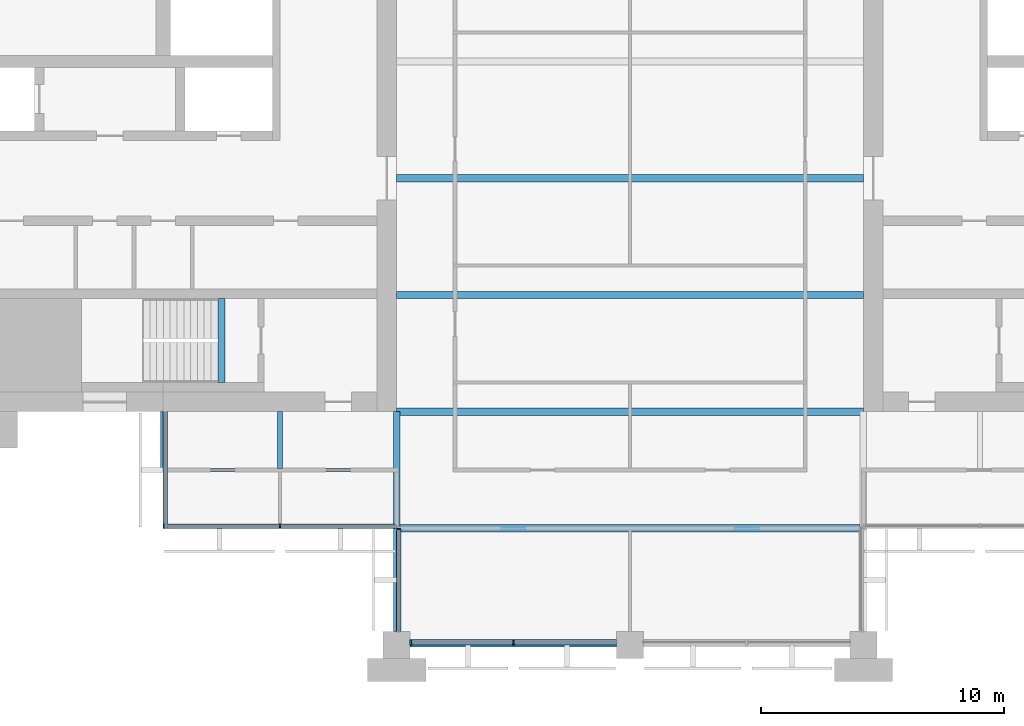
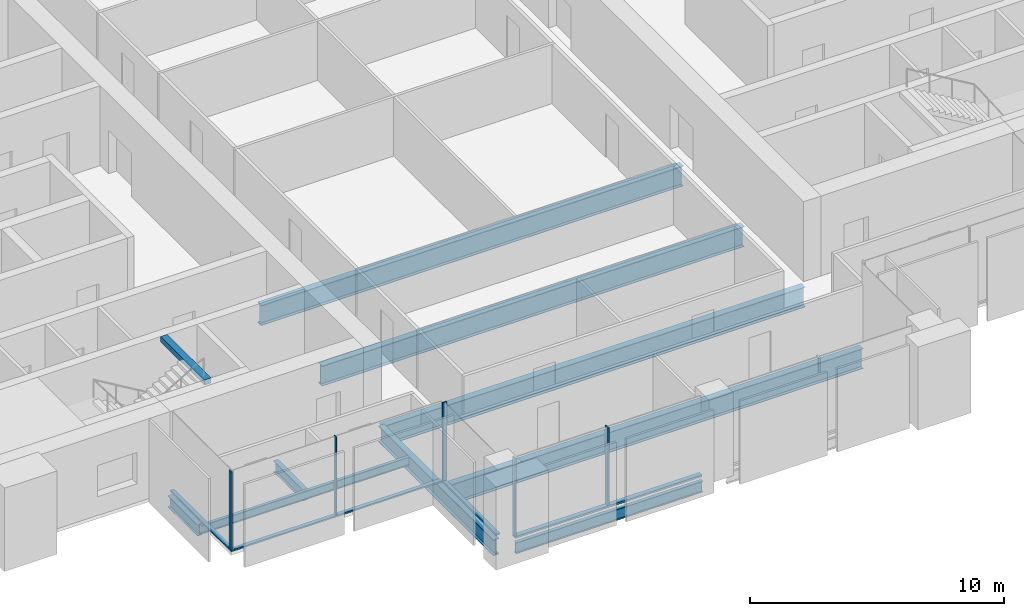
# One storey, part 2 of 13: 10 beams, 9 members, 4 elements without a shape of their own.
"""IFC4 building model written with IfcOpenShell, lengths in metres."""

from ifc_helpers import new_model, si_unit, direction, frame, origin, origin_2d, place, context, subcontext, project, spatial, rectangle, i_section, extrude, material, material_profile, profile_set, type_object, element, aggregate, save


model = new_model("IFC4")

# Units and contexts
model_context = context("Model", 3, precision=1e-05, world=origin(), true_north=direction((0.0, 1.0)))
body_context = subcontext(model_context, "Body", "Model", "MODEL_VIEW")
ifc_project = project(units=[si_unit("LENGTHUNIT", "METRE"), si_unit("AREAUNIT", "SQUARE_METRE"), si_unit("VOLUMEUNIT", "CUBIC_METRE"), si_unit("PLANEANGLEUNIT", "RADIAN"), si_unit("MASSUNIT", "GRAM", prefix="KILO")], contexts=[model_context])

# Site, building, storey
site_placement = place(None, origin())
site = spatial("IfcSite", under=ifc_project, at=site_placement, CompositionType="ELEMENT")
building_placement = place(site_placement, origin())
building = spatial("IfcBuilding", under=site, at=building_placement, Name="Baori Bourse Tower", CompositionType="ELEMENT")
storey_placement = place(building_placement, frame((0.0, 0.0, 205.199951171875)))
storey = spatial("IfcBuildingStorey", under=building, at=storey_placement, Name="L44", CompositionType="ELEMENT", Elevation=205.199951171875)

# Curtain wall, members
ifc_material_1 = material(Name="Pale anodised aluminium", Category="aluminium")
curtain_wall_type_1 = type_object("IfcCurtainWallType", Name="CW2 Curtain wall", PredefinedType="NOTDEFINED", material=ifc_material_1)
curtain_wall_1_placement = place(storey_placement, origin())
curtain_wall_1 = element("IfcCurtainWall", 1, at=curtain_wall_1_placement, inside=storey, type_object=curtain_wall_type_1, Name="Curtain wall CW2 L44 10", PredefinedType="NOTDEFINED")
ifc_material_2 = material(Name="Pale anodised aluminium", Category="aluminium")
ifc_material_profile_1 = material_profile(ifc_material_2, rectangle(XDim=0.179931640625, YDim=0.054931640625, at=origin_2d()), Name="Mullion 55x180")
ifc_profile_set_1 = profile_set([ifc_material_profile_1], Name="Pale anodised aluminium")
member_type_1 = type_object("IfcMemberType", Name="CW2 Curtain wall mullion", PredefinedType="MULLION", material=ifc_profile_set_1)
member_1_placement = place(storey_placement, frame((9.62744140625, 4.889892578125, 0.070068359375), z_axis=(0.0, 0.0, 1.0), x_axis=(0.0, 1.0, 0.0)))
member_1 = element("IfcMember", 2, at=member_1_placement, type_object=member_type_1, Name="Curtain wall CW2 mullion", PredefinedType="MULLION", context=body_context, shape_type="SweptSolid", body=[
    extrude(rectangle(XDim=0.179931640625, YDim=0.054931640625, at=origin_2d()), origin(), (0.0, 0.0, 1.0), 3.77001953125),
])
member_2_placement = place(storey_placement, frame((14.39990234375, 4.889892578125, 0.070068359375), z_axis=(0.0, 0.0, 1.0), x_axis=(0.0, 1.0, 0.0)))
member_2 = element("IfcMember", 3, at=member_2_placement, type_object=member_type_1, Name="Curtain wall CW2 mullion", PredefinedType="MULLION", context=body_context, shape_type="SweptSolid", body=[
    extrude(rectangle(XDim=0.179931640625, YDim=0.054931640625, at=origin_2d()), origin(), (0.0, 0.0, 1.0), 3.77001953125),
])

# Curtain wall, member
curtain_wall_2_placement = place(storey_placement, origin())
curtain_wall_2 = element("IfcCurtainWall", 4, at=curtain_wall_2_placement, inside=storey, type_object=curtain_wall_type_1, Name="Curtain wall CW2 L44 11", PredefinedType="NOTDEFINED")
member_3_placement = place(storey_placement, frame((19.2900390625, 4.7724609375, 0.070068359375), z_axis=(0.0, 0.0, 1.0), x_axis=(1.0, 0.0, 0.0)))
member_3 = element("IfcMember", 5, at=member_3_placement, type_object=member_type_1, Name="Curtain wall CW2 mullion", PredefinedType="MULLION", context=body_context, shape_type="SweptSolid", body=[
    extrude(rectangle(XDim=0.179931640625, YDim=0.054931640625, at=origin_2d()), origin(), (0.0, 0.0, 1.0), 3.77001953125),
])

curtain_wall_3_placement = place(storey_placement, origin())
curtain_wall_3 = element("IfcCurtainWall", 6, at=curtain_wall_3_placement, inside=storey, type_object=curtain_wall_type_1, Name="Curtain wall CW2 L44 9", PredefinedType="NOTDEFINED")
ifc_material_3 = material(Name="Pale anodised aluminium", Category="aluminium")
ifc_material_profile_2 = material_profile(ifc_material_3, rectangle(XDim=0.179931640625, YDim=0.070068359375, at=origin_2d()), Name="Transom 70x180")
ifc_profile_set_2 = profile_set([ifc_material_profile_2], Name="Pale anodised aluminium")
member_type_2 = type_object("IfcMemberType", Name="CW2 Curtain wall transom", PredefinedType="USERDEFINED", material=ifc_profile_set_2)
member_4_placement = place(storey_placement, frame((9.68994140625, 9.60009765625, 0.03515625), z_axis=(0.0, -1.0, 0.0), x_axis=(1.0, 0.0, 0.0)))
member_4 = element("IfcMember", 7, at=member_4_placement, type_object=member_type_2, Name="Curtain wall CW2 sill rail", ObjectType="TRANSOM", PredefinedType="USERDEFINED", context=body_context, shape_type="SweptSolid", body=[
    extrude(rectangle(XDim=0.179931640625, YDim=0.070068359375, at=origin_2d()), origin(), (0.0, 0.0, 1.0), 4.800048828125),
])
aggregate(curtain_wall_3, [member_4])

# Member
member_5_placement = place(storey_placement, frame((9.60009765625, 4.889892578125, 0.03515625), z_axis=(1.0, 0.0, 0.0), x_axis=(0.0, 1.0, 0.0)))
member_5 = element("IfcMember", 8, at=member_5_placement, type_object=member_type_2, Name="Curtain wall CW2 sill rail", ObjectType="TRANSOM", PredefinedType="USERDEFINED", context=body_context, shape_type="SweptSolid", body=[
    extrude(rectangle(XDim=0.179931640625, YDim=0.070068359375, at=origin_2d()), origin(), (0.0, 0.0, 1.0), 9.599853515625),
])

aggregate(curtain_wall_1, [member_5, member_1, member_2])

member_6_placement = place(storey_placement, frame((19.2900390625, 4.800048828125, 0.03515625), z_axis=(0.0, -1.0, 0.0), x_axis=(1.0, 0.0, 0.0)))
member_6 = element("IfcMember", 9, at=member_6_placement, type_object=member_type_2, Name="Curtain wall CW2 sill rail", ObjectType="TRANSOM", PredefinedType="USERDEFINED", context=body_context, shape_type="SweptSolid", body=[
    extrude(rectangle(XDim=0.179931640625, YDim=0.070068359375, at=origin_2d()), origin(), (0.0, 0.0, 1.0), 4.25),
])

aggregate(curtain_wall_2, [member_6, member_3])

# Curtain wall, members
ifc_material_4 = material(Name="Pale anodised aluminium", Category="aluminium")
curtain_wall_type_2 = type_object("IfcCurtainWallType", Name="CW5 Curtain wall", PredefinedType="NOTDEFINED", material=ifc_material_4)
curtain_wall_4_placement = place(storey_placement, origin())
curtain_wall_4 = element("IfcCurtainWall", 10, at=curtain_wall_4_placement, inside=storey, type_object=curtain_wall_type_2, Name="Curtain wall CW5 L44 12", PredefinedType="NOTDEFINED")
ifc_material_5 = material(Name="Pale anodised aluminium", Category="aluminium")
ifc_material_profile_3 = material_profile(ifc_material_5, rectangle(XDim=0.219970703125, YDim=0.06494140625, at=origin_2d()), Name="Mullion 65x220")
ifc_profile_set_3 = profile_set([ifc_material_profile_3], Name="Pale anodised aluminium")
member_type_3 = type_object("IfcMemberType", Name="CW5 Curtain wall mullion", PredefinedType="MULLION", material=ifc_profile_set_3)
member_7_placement = place(storey_placement, frame((19.782470703125, 0.110107421875, 0.0849609375), z_axis=(0.0, 0.0, 1.0), x_axis=(0.0, 1.0, 0.0)))
member_7 = element("IfcMember", 11, at=member_7_placement, type_object=member_type_3, Name="Curtain wall CW5 mullion", PredefinedType="MULLION", context=body_context, shape_type="SweptSolid", body=[
    extrude(rectangle(XDim=0.219970703125, YDim=0.06494140625, at=origin_2d()), origin(), (0.0, 0.0, 1.0), 3.755126953125),
])
member_8_placement = place(storey_placement, frame((24.0, 0.110107421875, 0.0849609375), z_axis=(0.0, 0.0, 1.0), x_axis=(0.0, 1.0, 0.0)))
member_8 = element("IfcMember", 12, at=member_8_placement, type_object=member_type_3, Name="Curtain wall CW5 mullion", PredefinedType="MULLION", context=body_context, shape_type="SweptSolid", body=[
    extrude(rectangle(XDim=0.219970703125, YDim=0.06494140625, at=origin_2d()), origin(), (0.0, 0.0, 1.0), 3.755126953125),
])
ifc_material_6 = material(Name="Pale anodised aluminium", Category="aluminium")
ifc_material_profile_4 = material_profile(ifc_material_6, rectangle(XDim=0.219970703125, YDim=0.0849609375, at=origin_2d()), Name="Transom 85x220")
ifc_profile_set_4 = profile_set([ifc_material_profile_4], Name="Pale anodised aluminium")
member_type_4 = type_object("IfcMemberType", Name="CW5 Curtain wall transom", PredefinedType="USERDEFINED", material=ifc_profile_set_4)
member_9_placement = place(storey_placement, frame((19.75, 0.110107421875, 0.04248046875), z_axis=(1.0, 0.0, 0.0), x_axis=(0.0, 1.0, 0.0)))
member_9 = element("IfcMember", 13, at=member_9_placement, type_object=member_type_4, Name="Curtain wall CW5 sill rail", ObjectType="TRANSOM", PredefinedType="USERDEFINED", context=body_context, shape_type="SweptSolid", body=[
    extrude(rectangle(XDim=0.219970703125, YDim=0.0849609375, at=origin_2d()), origin(), (0.0, 0.0, 1.0), 8.5),
])
aggregate(curtain_wall_4, [member_9, member_7, member_8])

# Beams
ifc_material_7 = material(Name="Steel A992 Gr 50", Category="steel")
ifc_material_profile_5 = material_profile(ifc_material_7, i_section(OverallWidth=0.21240234375, OverallDepth=0.54345703125, WebThickness=0.01318359375, FlangeThickness=0.021240234375, at=origin_2d()), Name="W21x83")
ifc_profile_set_5 = profile_set([ifc_material_profile_5], Name="Steel A992 Gr 50")
beam_type_1 = type_object("IfcBeamType", Name="Core bracket W21x83", PredefinedType="BEAM", material=ifc_profile_set_5)
for number, where, z_axis, x_axis, name in (
    (14, (9.60009765625, 7.270263671875, -0.431640625), (0.0, 1.0, 0.0), (-1.0, 0.0, 0.0), "Core bracket L44"),
    (15, (14.39990234375, 7.270263671875, -0.431640625), (0.0, 1.0, 0.0), (-1.0, 0.0, 0.0), "Core bracket L44"),
):
    element("IfcBeam", number, at=place(storey_placement, frame(where, z_axis=z_axis, x_axis=x_axis)), inside=storey, type_object=beam_type_1, Name=name, PredefinedType="BEAM", context=body_context, shape_type="SweptSolid", body=[
        extrude(i_section(OverallWidth=0.21240234375, OverallDepth=0.54345703125, WebThickness=0.01318359375, FlangeThickness=0.021240234375, at=origin_2d()), origin(), (0.0, 0.0, 1.0), 2.329833984375),
    ])
ifc_material_8 = material(Name="Steel A992 Gr 50", Category="steel")
ifc_material_profile_6 = material_profile(ifc_material_8, i_section(OverallWidth=0.1650390625, OverallDepth=0.52587890625, WebThickness=0.0087890625, FlangeThickness=0.011474609375, at=origin_2d()), Name="W21x44")
ifc_profile_set_6 = profile_set([ifc_material_profile_6], Name="Steel A992 Gr 50")
beam_type_2 = type_object("IfcBeamType", Name="Edge beam W21x44", PredefinedType="BEAM", material=ifc_profile_set_6)
beam_1_placement = place(storey_placement, frame((19.75, 0.0, -0.4228515625), z_axis=(1.0, 0.0, 0.0), x_axis=(0.0, 1.0, 0.0)))
element("IfcBeam", 16, at=beam_1_placement, inside=storey, type_object=beam_type_2, Name="Edge beam L44", PredefinedType="BEAM", context=body_context, shape_type="SweptSolid", body=[
    extrude(i_section(OverallWidth=0.1650390625, OverallDepth=0.52587890625, WebThickness=0.0087890625, FlangeThickness=0.011474609375, at=origin_2d()), origin(), (0.0, 0.0, 1.0), 8.5),
])
ifc_material_9 = material(Name="Steel A992 Gr 50", Category="steel")
ifc_material_profile_7 = material_profile(ifc_material_9, i_section(OverallWidth=0.2998046875, OverallDepth=0.97021484375, WebThickness=0.01611328125, FlangeThickness=0.02099609375, at=origin_2d()), Name="W40x149")
ifc_profile_set_7 = profile_set([ifc_material_profile_7], Name="Steel A992 Gr 50")
beam_type_3 = type_object("IfcBeamType", Name="Floor beam W40x149", PredefinedType="BEAM", material=ifc_profile_set_7)
beam_2_placement = place(storey_placement, frame((19.333251953125, 4.800048828125, -0.64501953125), z_axis=(1.0, 0.0, 0.0), x_axis=(0.0, 1.0, 0.0)))
element("IfcBeam", 17, at=beam_2_placement, inside=storey, type_object=beam_type_3, Name="Floor beam L44", PredefinedType="BEAM", context=body_context, shape_type="SweptSolid", body=[
    extrude(i_section(OverallWidth=0.2998046875, OverallDepth=0.97021484375, WebThickness=0.01611328125, FlangeThickness=0.02099609375, at=origin_2d()), origin(), (0.0, 0.0, 1.0), 18.933349609375),
])
for number, where, z_axis, x_axis, name in (
    (18, (19.199951171875, 9.60009765625, -0.64501953125), (1.0, 0.0, 0.0), (0.0, 1.0, 0.0), "Floor beam L44"),
    (19, (19.199951171875, 14.39990234375, -0.64501953125), (1.0, 0.0, 0.0), (0.0, 1.0, 0.0), "Floor beam L44"),
    (20, (19.199951171875, 19.199951171875, -0.64501953125), (1.0, 0.0, 0.0), (0.0, 1.0, 0.0), "Floor beam L44"),
):
    element("IfcBeam", number, at=place(storey_placement, frame(where, z_axis=z_axis, x_axis=x_axis)), inside=storey, type_object=beam_type_3, Name=name, PredefinedType="BEAM", context=body_context, shape_type="SweptSolid", body=[
        extrude(i_section(OverallWidth=0.2998046875, OverallDepth=0.97021484375, WebThickness=0.01611328125, FlangeThickness=0.02099609375, at=origin_2d()), origin(), (0.0, 0.0, 1.0), 19.199951171875),
    ])
ifc_material_10 = material(Name="Steel A992 Gr 50", Category="steel")
ifc_material_profile_8 = material_profile(ifc_material_10, i_section(OverallWidth=0.2666015625, OverallDepth=0.76953125, WebThickness=0.015625, FlangeThickness=0.025390625, at=origin_2d()), Name="W30x132")
ifc_profile_set_8 = profile_set([ifc_material_profile_8], Name="Steel A992 Gr 50")
beam_type_4 = type_object("IfcBeamType", Name="Girder W30x132", PredefinedType="BEAM", material=ifc_profile_set_8)
beam_3_placement = place(storey_placement, frame((19.199951171875, 0.550048828125, -0.544677734375), z_axis=(0.0, 1.0, 0.0), x_axis=(-1.0, 0.0, 0.0)))
element("IfcBeam", 21, at=beam_3_placement, inside=storey, type_object=beam_type_4, Name="Girder L44", PredefinedType="BEAM", context=body_context, shape_type="SweptSolid", body=[
    extrude(i_section(OverallWidth=0.2666015625, OverallDepth=0.76953125, WebThickness=0.015625, FlangeThickness=0.025390625, at=origin_2d()), origin(), (0.0, 0.0, 1.0), 9.050048828125),
])
ifc_material_11 = material(Name="Concrete f'c 50 MPa", Category="concrete")
ifc_material_profile_9 = material_profile(ifc_material_11, rectangle(XDim=0.300048828125, YDim=0.25, at=origin_2d()), Name="RC 300x250")
ifc_profile_set_9 = profile_set([ifc_material_profile_9], Name="Concrete f'c 50 MPa")
beam_type_5 = type_object("IfcBeamType", Name="Stair nib beam RC 300x250", PredefinedType="BEAM", material=ifc_profile_set_9)
beam_4_placement = place(storey_placement, frame((12.0, 10.800048828125, 3.715087890625), z_axis=(0.0, 1.0, 0.0), x_axis=(-1.0, 0.0, 0.0)))
element("IfcBeam", 22, at=beam_4_placement, inside=storey, type_object=beam_type_5, Name="Stair WA nib beam L45", PredefinedType="BEAM", context=body_context, shape_type="SweptSolid", body=[
    extrude(rectangle(XDim=0.300048828125, YDim=0.25, at=origin_2d()), origin(), (0.0, 0.0, 1.0), 3.449951171875),
])
ifc_material_12 = material(Name="Steel A992 Gr 50", Category="steel")
ifc_material_profile_10 = material_profile(ifc_material_12, i_section(OverallWidth=0.140380859375, OverallDepth=0.40380859375, WebThickness=0.007080078125, FlangeThickness=0.01123046875, at=origin_2d()), Name="W16x31")
ifc_profile_set_10 = profile_set([ifc_material_profile_10], Name="Steel A992 Gr 50")
beam_type_6 = type_object("IfcBeamType", Name="Trimmer beam W16x31", PredefinedType="BEAM", material=ifc_profile_set_10)
beam_5_placement = place(storey_placement, frame((9.60009765625, 7.199951171875, -0.36181640625), z_axis=(1.0, 0.0, 0.0), x_axis=(0.0, 1.0, 0.0)))
element("IfcBeam", 23, at=beam_5_placement, inside=storey, type_object=beam_type_6, Name="Trimmer beam L44", PredefinedType="BEAM", context=body_context, shape_type="SweptSolid", body=[
    extrude(i_section(OverallWidth=0.140380859375, OverallDepth=0.40380859375, WebThickness=0.007080078125, FlangeThickness=0.01123046875, at=origin_2d()), origin(), (0.0, 0.0, 1.0), 9.466552734375),
])

save(model, "model.ifc")
